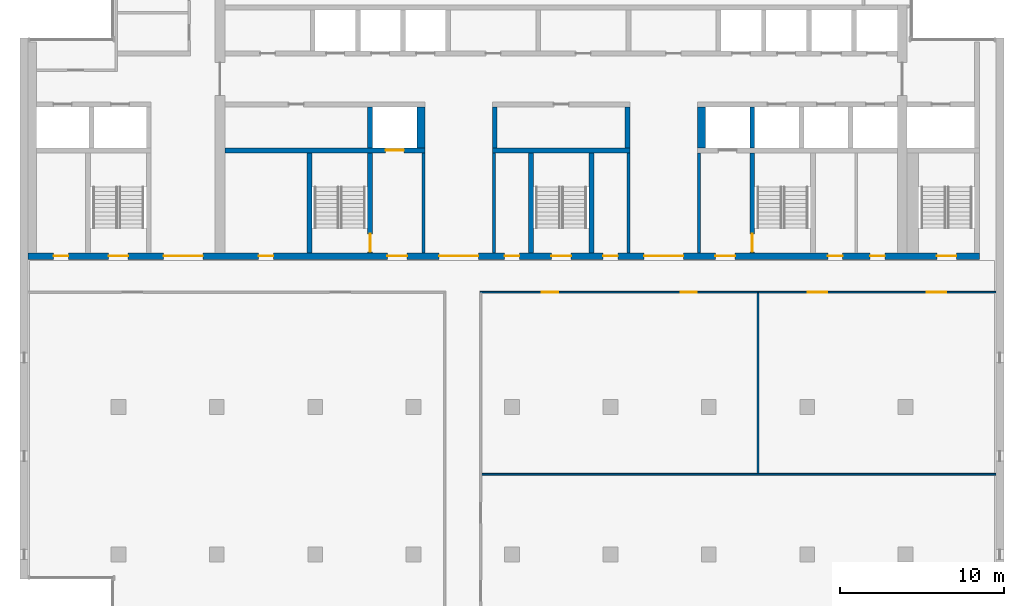
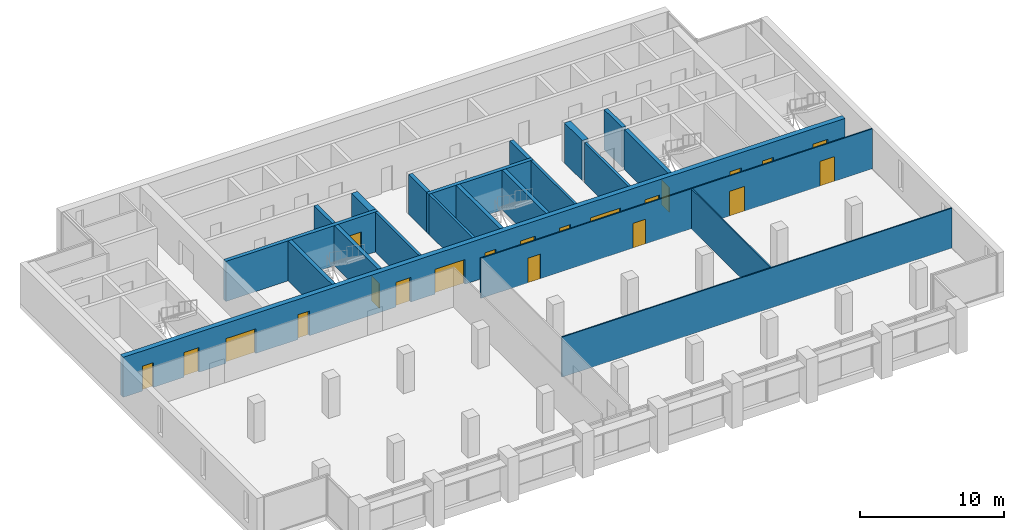
# One storey, part 8 of 14: 21 doors, 21 walls, 21 openings.
"""IFC4 building model written with IfcOpenShell, lengths in metres."""

from ifc_helpers import new_model, si_unit, direction, frame, frame_2d, origin, place, context, subcontext, project, spatial, rectangle, extrude, material, layer, layer_set, type_object, element, fill, save


model = new_model("IFC4")

# Units and contexts
model_context = context("Model", 3, precision=1e-05, world=origin(), true_north=direction((0.0, 1.0)))
body_context = subcontext(model_context, "Body", "Model", "MODEL_VIEW")
ifc_project = project(units=[si_unit("LENGTHUNIT", "METRE"), si_unit("AREAUNIT", "SQUARE_METRE"), si_unit("VOLUMEUNIT", "CUBIC_METRE"), si_unit("PLANEANGLEUNIT", "RADIAN"), si_unit("MASSUNIT", "GRAM", prefix="KILO")], contexts=[model_context])

# Site, building, storey
site_placement = place(None, origin())
site = spatial("IfcSite", under=ifc_project, at=site_placement, CompositionType="ELEMENT")
building_placement = place(site_placement, origin())
building = spatial("IfcBuilding", under=site, at=building_placement, Name="Calvaro Tower", CompositionType="ELEMENT")
storey_placement = place(building_placement, frame((0.0, 0.0, 243.14990234375)))
storey = spatial("IfcBuildingStorey", under=building, at=storey_placement, Name="L61", CompositionType="ELEMENT", Elevation=243.14990234375)

# Walls
ifc_material_1 = material(Name="Blockwork partition", Category="masonry")
ifc_layer_1 = layer(ifc_material_1, 0.199951171875)
ifc_layer_set_1 = layer_set([ifc_layer_1], Name="Blockwork partition")
wall_type_1 = type_object("IfcWallType", Name="Core partition 200 REI 120", PredefinedType="PARTITIONING", material=ifc_layer_set_1)
for number, where, z_axis, x_axis, name in (
    (1, (30.60009765625, 28.39990234375, 0.0), (0.0, 0.0, 1.0), (0.0, 1.0, 0.0), "Core partition"),
    (2, (34.89990234375, 28.39990234375, 0.0), (0.0, 0.0, 1.0), (0.0, 1.0, 0.0), "Core partition"),
    (3, (43.10009765625, 28.39990234375, 0.0), (0.0, 0.0, 1.0), (0.0, 1.0, 0.0), "Core partition"),
    (4, (47.39990234375, 28.39990234375, 0.0), (0.0, 0.0, 1.0), (0.0, 1.0, 0.0), "Core partition"),
):
    element("IfcWall", number, at=place(storey_placement, frame(where, z_axis=z_axis, x_axis=x_axis)), inside=storey, type_object=wall_type_1, Name=name, PredefinedType="PARTITIONING", context=body_context, shape_type="SweptSolid", body=[
        extrude(rectangle(XDim=6.10009765625, YDim=0.199951171875, at=frame_2d((3.050048828125, 0.0))), origin(), (0.0, 0.0, 1.0), 3.400146484375),
    ])
ifc_material_2 = material(Name="Concrete C40/50", Category="concrete")
ifc_layer_2 = layer(ifc_material_2, 0.300048828125)
ifc_layer_set_2 = layer_set([ifc_layer_2], Name="Concrete C40/50")
wall_type_2 = type_object("IfcWallType", Name="Core wall C40/50 300", PredefinedType="SHEAR", material=ifc_layer_set_2)
wall_1_placement = place(storey_placement, frame((23.64990234375, 28.39990234375, 0.0), z_axis=(0.0, 0.0, 1.0), x_axis=(0.0, 1.0, 0.0)))
element("IfcWall", 5, at=wall_1_placement, inside=storey, type_object=wall_type_2, Name="Core wall, stair enclosure", PredefinedType="SHEAR", context=body_context, shape_type="SweptSolid", body=[
    extrude(rectangle(XDim=6.10009765625, YDim=0.300048828125, at=frame_2d((3.050048828125, 0.0))), origin(), (0.0, 0.0, 1.0), 3.400146484375),
])

# Wall, opening, door
wall_2_placement = place(storey_placement, frame((27.35009765625, 28.39990234375, 0.0), z_axis=(0.0, 0.0, 1.0), x_axis=(0.0, 1.0, 0.0)))
wall_2 = element("IfcWall", 6, at=wall_2_placement, inside=storey, type_object=wall_type_2, Name="Core wall, stair enclosure", PredefinedType="SHEAR", context=body_context, shape_type="SweptSolid", body=[
    extrude(rectangle(XDim=6.10009765625, YDim=0.300048828125, at=frame_2d((3.050048828125, 0.0))), origin(), (0.0, 0.0, 1.0), 3.400146484375),
])
opening_1_placement = place(wall_2_placement, frame((0.050048828125, 0.0, 0.0)))
opening_1 = element("IfcOpeningElement", 7, at=opening_1_placement, cuts=wall_2, Name="Opening FD11D", PredefinedType="OPENING", context=body_context, shape_type="SweptSolid", body=[
    extrude(rectangle(XDim=1.10009765625, YDim=2.10009765625, at=frame_2d((0.550048828125, 1.050048828125))), frame((0.0, 0.159912109375, 0.0), z_axis=(0.0, -1.0, 0.0), x_axis=(1.0, 0.0, 0.0)), (0.0, 0.0, 1.0), 0.320068359375),
])
ifc_material_3 = material(Name="Steel door set", Category="steel")
door_type_1 = type_object("IfcDoorType", Name="Fire door 1100 FD30S", OperationType="SINGLE_SWING_LEFT", PredefinedType="DOOR", material=ifc_material_3)
door_1_placement = place(opening_1_placement, origin())
door_1 = element("IfcDoor", 8, at=door_1_placement, inside=storey, type_object=door_type_1, Name="Fire door", OperationType="SINGLE_SWING_LEFT", OverallHeight=2.10009765625, OverallWidth=1.10009765625, PredefinedType="DOOR", context=body_context, shape_type="SweptSolid", body=[
    extrude(rectangle(XDim=1.10009765625, YDim=2.10009765625, at=frame_2d((0.550048828125, 1.050048828125))), frame((0.0, 0.02490234375, 0.0), z_axis=(0.0, -1.0, 0.0), x_axis=(1.0, 0.0, 0.0)), (0.0, 0.0, 1.0), 0.050048828125),
])
fill(opening_1, door_1)

# Walls
for number, where, z_axis, x_axis, name in (
    (9, (37.14990234375, 28.39990234375, 0.0), (0.0, 0.0, 1.0), (0.0, 1.0, 0.0), "Core wall, stair enclosure"),
    (10, (40.85009765625, 28.39990234375, 0.0), (0.0, 0.0, 1.0), (0.0, 1.0, 0.0), "Core wall, stair enclosure"),
):
    element("IfcWall", number, at=place(storey_placement, frame(where, z_axis=z_axis, x_axis=x_axis)), inside=storey, type_object=wall_type_2, Name=name, PredefinedType="SHEAR", context=body_context, shape_type="SweptSolid", body=[
        extrude(rectangle(XDim=6.10009765625, YDim=0.300048828125, at=frame_2d((3.050048828125, 0.0))), origin(), (0.0, 0.0, 1.0), 3.400146484375),
    ])

# Wall, opening, door
wall_3_placement = place(storey_placement, frame((50.64990234375, 34.5, 0.0), z_axis=(0.0, 0.0, 1.0), x_axis=(0.0, -1.0, 0.0)))
wall_3 = element("IfcWall", 11, at=wall_3_placement, inside=storey, type_object=wall_type_2, Name="Core wall, stair enclosure", PredefinedType="SHEAR", context=body_context, shape_type="SweptSolid", body=[
    extrude(rectangle(XDim=6.10009765625, YDim=0.300048828125, at=frame_2d((3.050048828125, 0.0))), origin(), (0.0, 0.0, 1.0), 3.400146484375),
])
opening_2_placement = place(wall_3_placement, frame((4.949951171875, 0.0, 0.0)))
opening_2 = element("IfcOpeningElement", 12, at=opening_2_placement, cuts=wall_3, Name="Opening FD11D", PredefinedType="OPENING", context=body_context, shape_type="SweptSolid", body=[
    extrude(rectangle(XDim=1.10009765625, YDim=2.10009765625, at=frame_2d((0.550048828125, 1.050048828125))), frame((0.0, 0.159912109375, 0.0), z_axis=(0.0, -1.0, 0.0), x_axis=(1.0, 0.0, 0.0)), (0.0, 0.0, 1.0), 0.320068359375),
])
door_2_placement = place(opening_2_placement, origin())
door_2 = element("IfcDoor", 13, at=door_2_placement, inside=storey, type_object=door_type_1, Name="Fire door", OperationType="SINGLE_SWING_RIGHT", OverallHeight=2.10009765625, OverallWidth=1.10009765625, PredefinedType="DOOR", context=body_context, shape_type="SweptSolid", body=[
    extrude(rectangle(XDim=1.10009765625, YDim=2.10009765625, at=frame_2d((0.550048828125, 1.050048828125))), frame((0.0, 0.02490234375, 0.0), z_axis=(0.0, -1.0, 0.0), x_axis=(1.0, 0.0, 0.0)), (0.0, 0.0, 1.0), 0.050048828125),
])
fill(opening_2, door_2)

wall_4_placement = place(storey_placement, frame((18.5, 34.64990234375, 0.0), z_axis=(0.0, 0.0, 1.0), x_axis=(1.0, 0.0, 0.0)))
wall_4 = element("IfcWall", 14, at=wall_4_placement, inside=storey, type_object=wall_type_2, Name="Core wall, lift shaft", PredefinedType="SHEAR", context=body_context, shape_type="SweptSolid", body=[
    extrude(rectangle(XDim=12.199951171875, YDim=0.300048828125, at=frame_2d((6.10009765625, 0.0))), origin(), (0.0, 0.0, 1.0), 3.400146484375),
])
opening_3_placement = place(wall_4_placement, frame((9.800048828125, 0.0, 0.0)))
opening_3 = element("IfcOpeningElement", 15, at=opening_3_placement, cuts=wall_4, Name="Opening FF1", PredefinedType="OPENING", context=body_context, shape_type="SweptSolid", body=[
    extrude(rectangle(XDim=1.10009765625, YDim=2.10009765625, at=frame_2d((0.550048828125, 1.050048828125))), frame((0.0, 0.159912109375, 0.0), z_axis=(0.0, -1.0, 0.0), x_axis=(1.0, 0.0, 0.0)), (0.0, 0.0, 1.0), 0.320068359375),
])
ifc_material_4 = material(Name="Stainless steel", Category="steel")
door_type_2 = type_object("IfcDoorType", Name="Landing door 1100 E 60", OperationType="SLIDING_TO_LEFT", PredefinedType="DOOR", material=ifc_material_4)
door_3_placement = place(opening_3_placement, origin())
door_3 = element("IfcDoor", 16, at=door_3_placement, inside=storey, type_object=door_type_2, Name="Landing door FF1", OperationType="SLIDING_TO_LEFT", OverallHeight=2.10009765625, OverallWidth=1.10009765625, PredefinedType="DOOR", context=body_context, shape_type="SweptSolid", body=[
    extrude(rectangle(XDim=1.10009765625, YDim=2.10009765625, at=frame_2d((0.550048828125, 1.050048828125))), frame((0.0, 0.02490234375, 0.0), z_axis=(0.0, -1.0, 0.0), x_axis=(1.0, 0.0, 0.0)), (0.0, 0.0, 1.0), 0.050048828125),
])
fill(opening_3, door_3)

# Walls
wall_5_placement = place(storey_placement, frame((34.800048828125, 34.64990234375, 0.0), z_axis=(0.0, 0.0, 1.0), x_axis=(1.0, 0.0, 0.0)))
element("IfcWall", 17, at=wall_5_placement, inside=storey, type_object=wall_type_2, Name="Core wall, lift shaft", PredefinedType="SHEAR", context=body_context, shape_type="SweptSolid", body=[
    extrude(rectangle(XDim=8.39990234375, YDim=0.300048828125, at=frame_2d((4.199951171875, 0.0))), origin(), (0.0, 0.0, 1.0), 3.400146484375),
])
for number, where, z_axis, x_axis, name in (
    (18, (27.35009765625, 34.800048828125, 0.0), (0.0, 0.0, 1.0), (0.0, 1.0, 0.0), "Core wall, lift shaft"),
    (19, (34.949951171875, 34.800048828125, 0.0), (0.0, 0.0, 1.0), (0.0, 1.0, 0.0), "Core wall, lift shaft"),
    (20, (43.050048828125, 34.800048828125, 0.0), (0.0, 0.0, 1.0), (0.0, 1.0, 0.0), "Core wall, lift shaft"),
    (21, (50.64990234375, 34.800048828125, 0.0), (0.0, 0.0, 1.0), (0.0, 1.0, 0.0), "Core wall, lift shaft"),
):
    element("IfcWall", number, at=place(storey_placement, frame(where, z_axis=z_axis, x_axis=x_axis)), inside=storey, type_object=wall_type_2, Name=name, PredefinedType="SHEAR", context=body_context, shape_type="SweptSolid", body=[
        extrude(rectangle(XDim=2.5, YDim=0.300048828125, at=frame_2d((1.25, 0.0))), origin(), (0.0, 0.0, 1.0), 3.400146484375),
    ])

# Wall, openings, doors
ifc_material_5 = material(Name="Concrete C40/50", Category="concrete")
ifc_layer_3 = layer(ifc_material_5, 0.39990234375)
ifc_layer_set_3 = layer_set([ifc_layer_3], Name="Concrete C40/50")
wall_type_3 = type_object("IfcWallType", Name="Core wall C40/50 400", PredefinedType="SHEAR", material=ifc_layer_set_3)
wall_6_placement = place(storey_placement, frame((6.5, 28.199951171875, 0.0), z_axis=(0.0, 0.0, 1.0), x_axis=(1.0, 0.0, 0.0)))
wall_6 = element("IfcWall", 22, at=wall_6_placement, inside=storey, type_object=wall_type_3, Name="Core wall, front", PredefinedType="SHEAR", context=body_context, shape_type="SweptSolid", body=[
    extrude(rectangle(XDim=58.0, YDim=0.39990234375, at=frame_2d((29.0, 0.0))), origin(), (0.0, 0.0, 1.0), 3.400146484375),
])
opening_4_placement = place(wall_6_placement, frame((14.050048828125, 0.0, 0.0)))
opening_4 = element("IfcOpeningElement", 23, at=opening_4_placement, cuts=wall_6, Name="Opening RD9E", PredefinedType="OPENING", context=body_context, shape_type="SweptSolid", body=[
    extrude(rectangle(XDim=0.89990234375, YDim=2.10009765625, at=frame_2d((0.449951171875, 1.050048828125))), frame((0.0, 0.2099609375, 0.0), z_axis=(0.0, -1.0, 0.0), x_axis=(1.0, 0.0, 0.0)), (0.0, 0.0, 1.0), 0.419921875),
])
opening_5_placement = place(wall_6_placement, frame((48.762451171875, 0.0, 0.0)))
opening_5 = element("IfcOpeningElement", 24, at=opening_5_placement, cuts=wall_6, Name="Opening RD9C", PredefinedType="OPENING", context=body_context, shape_type="SweptSolid", body=[
    extrude(rectangle(XDim=0.89990234375, YDim=2.10009765625, at=frame_2d((0.449951171875, 1.050048828125))), frame((0.0, 0.2099609375, 0.0), z_axis=(0.0, -1.0, 0.0), x_axis=(1.0, 0.0, 0.0)), (0.0, 0.0, 1.0), 0.419921875),
])
opening_6_placement = place(wall_6_placement, frame((51.33740234375, 0.0, 0.0)))
opening_6 = element("IfcOpeningElement", 25, at=opening_6_placement, cuts=wall_6, Name="Opening RD9C", PredefinedType="OPENING", context=body_context, shape_type="SweptSolid", body=[
    extrude(rectangle(XDim=0.89990234375, YDim=2.10009765625, at=frame_2d((0.449951171875, 1.050048828125))), frame((0.0, 0.2099609375, 0.0), z_axis=(0.0, -1.0, 0.0), x_axis=(1.0, 0.0, 0.0)), (0.0, 0.0, 1.0), 0.419921875),
])
opening_7_placement = place(wall_6_placement, frame((1.550048828125, 0.0, 0.0)))
opening_7 = element("IfcOpeningElement", 26, at=opening_7_placement, cuts=wall_6, Name="Opening RD9C", PredefinedType="OPENING", context=body_context, shape_type="SweptSolid", body=[
    extrude(rectangle(XDim=0.89990234375, YDim=2.10009765625, at=frame_2d((0.449951171875, 1.050048828125))), frame((0.0, 0.2099609375, 0.0), z_axis=(0.0, -1.0, 0.0), x_axis=(1.0, 0.0, 0.0)), (0.0, 0.0, 1.0), 0.419921875),
])
opening_8_placement = place(wall_6_placement, frame((4.89990234375, 0.0, 0.0)))
opening_8 = element("IfcOpeningElement", 27, at=opening_8_placement, cuts=wall_6, Name="Opening SD12D", PredefinedType="OPENING", context=body_context, shape_type="SweptSolid", body=[
    extrude(rectangle(XDim=1.199951171875, YDim=2.10009765625, at=frame_2d((0.60009765625, 1.050048828125))), frame((0.0, 0.2099609375, 0.0), z_axis=(0.0, -1.0, 0.0), x_axis=(1.0, 0.0, 0.0)), (0.0, 0.0, 1.0), 0.419921875),
])
opening_9_placement = place(wall_6_placement, frame((31.89990234375, 0.0, 0.0)))
opening_9 = element("IfcOpeningElement", 28, at=opening_9_placement, cuts=wall_6, Name="Opening SD12D", PredefinedType="OPENING", context=body_context, shape_type="SweptSolid", body=[
    extrude(rectangle(XDim=1.199951171875, YDim=2.10009765625, at=frame_2d((0.60009765625, 1.050048828125))), frame((0.0, 0.2099609375, 0.0), z_axis=(0.0, -1.0, 0.0), x_axis=(1.0, 0.0, 0.0)), (0.0, 0.0, 1.0), 0.419921875),
])
opening_10_placement = place(wall_6_placement, frame((55.39990234375, 0.0, 0.0)))
opening_10 = element("IfcOpeningElement", 29, at=opening_10_placement, cuts=wall_6, Name="Opening SD12D", PredefinedType="OPENING", context=body_context, shape_type="SweptSolid", body=[
    extrude(rectangle(XDim=1.199951171875, YDim=2.10009765625, at=frame_2d((0.60009765625, 1.050048828125))), frame((0.0, 0.2099609375, 0.0), z_axis=(0.0, -1.0, 0.0), x_axis=(1.0, 0.0, 0.0)), (0.0, 0.0, 1.0), 0.419921875),
])
opening_11_placement = place(wall_6_placement, frame((21.89990234375, 0.0, 0.0)))
opening_11 = element("IfcOpeningElement", 30, at=opening_11_placement, cuts=wall_6, Name="Opening FD12F", PredefinedType="OPENING", context=body_context, shape_type="SweptSolid", body=[
    extrude(rectangle(XDim=1.199951171875, YDim=2.10009765625, at=frame_2d((0.60009765625, 1.050048828125))), frame((0.0, 0.2099609375, 0.0), z_axis=(0.0, -1.0, 0.0), x_axis=(1.0, 0.0, 0.0)), (0.0, 0.0, 1.0), 0.419921875),
])
opening_12_placement = place(wall_6_placement, frame((41.89990234375, 0.0, 0.0)))
opening_12 = element("IfcOpeningElement", 31, at=opening_12_placement, cuts=wall_6, Name="Opening FD12F", PredefinedType="OPENING", context=body_context, shape_type="SweptSolid", body=[
    extrude(rectangle(XDim=1.199951171875, YDim=2.10009765625, at=frame_2d((0.60009765625, 1.050048828125))), frame((0.0, 0.2099609375, 0.0), z_axis=(0.0, -1.0, 0.0), x_axis=(1.0, 0.0, 0.0)), (0.0, 0.0, 1.0), 0.419921875),
])
opening_13_placement = place(wall_6_placement, frame((25.050048828125, 0.0, 0.0)))
opening_13 = element("IfcOpeningElement", 32, at=opening_13_placement, cuts=wall_6, Name="Opening DD24D", PredefinedType="OPENING", context=body_context, shape_type="SweptSolid", body=[
    extrude(rectangle(XDim=2.39990234375, YDim=2.10009765625, at=frame_2d((1.199951171875, 1.050048828125))), frame((0.0, 0.2099609375, 0.0), z_axis=(0.0, -1.0, 0.0), x_axis=(1.0, 0.0, 0.0)), (0.0, 0.0, 1.0), 0.419921875),
])
opening_14_placement = place(wall_6_placement, frame((37.550048828125, 0.0, 0.0)))
opening_14 = element("IfcOpeningElement", 33, at=opening_14_placement, cuts=wall_6, Name="Opening DD24D", PredefinedType="OPENING", context=body_context, shape_type="SweptSolid", body=[
    extrude(rectangle(XDim=2.39990234375, YDim=2.10009765625, at=frame_2d((1.199951171875, 1.050048828125))), frame((0.0, 0.2099609375, 0.0), z_axis=(0.0, -1.0, 0.0), x_axis=(1.0, 0.0, 0.0)), (0.0, 0.0, 1.0), 0.419921875),
])
opening_15_placement = place(wall_6_placement, frame((8.25, 0.0, 0.0)))
opening_15 = element("IfcOpeningElement", 34, at=opening_15_placement, cuts=wall_6, Name="Opening DD24D", PredefinedType="OPENING", context=body_context, shape_type="SweptSolid", body=[
    extrude(rectangle(XDim=2.39990234375, YDim=2.10009765625, at=frame_2d((1.199951171875, 1.050048828125))), frame((0.0, 0.2099609375, 0.0), z_axis=(0.0, -1.0, 0.0), x_axis=(1.0, 0.0, 0.0)), (0.0, 0.0, 1.0), 0.419921875),
])
opening_16_placement = place(wall_6_placement, frame((29.050048828125, 0.0, 0.0)))
opening_16 = element("IfcOpeningElement", 35, at=opening_16_placement, cuts=wall_6, Name="Opening RD9E", PredefinedType="OPENING", context=body_context, shape_type="SweptSolid", body=[
    extrude(rectangle(XDim=0.89990234375, YDim=2.10009765625, at=frame_2d((0.449951171875, 1.050048828125))), frame((0.0, 0.2099609375, 0.0), z_axis=(0.0, -1.0, 0.0), x_axis=(1.0, 0.0, 0.0)), (0.0, 0.0, 1.0), 0.419921875),
])
opening_17_placement = place(wall_6_placement, frame((35.050048828125, 0.0, 0.0)))
opening_17 = element("IfcOpeningElement", 36, at=opening_17_placement, cuts=wall_6, Name="Opening RD9E", PredefinedType="OPENING", context=body_context, shape_type="SweptSolid", body=[
    extrude(rectangle(XDim=0.89990234375, YDim=2.10009765625, at=frame_2d((0.449951171875, 1.050048828125))), frame((0.0, 0.2099609375, 0.0), z_axis=(0.0, -1.0, 0.0), x_axis=(1.0, 0.0, 0.0)), (0.0, 0.0, 1.0), 0.419921875),
])
ifc_material_6 = material(Name="Steel door set", Category="steel")
door_type_3 = type_object("IfcDoorType", Name="Fire door 1200 FD60S", OperationType="SINGLE_SWING_LEFT", PredefinedType="DOOR", material=ifc_material_6)
door_4_placement = place(opening_11_placement, origin())
door_4 = element("IfcDoor", 37, at=door_4_placement, inside=storey, type_object=door_type_3, Name="Fire door", OperationType="SINGLE_SWING_LEFT", OverallHeight=2.10009765625, OverallWidth=1.199951171875, PredefinedType="DOOR", context=body_context, shape_type="SweptSolid", body=[
    extrude(rectangle(XDim=1.199951171875, YDim=2.10009765625, at=frame_2d((0.60009765625, 1.050048828125))), frame((0.0, 0.02490234375, 0.0), z_axis=(0.0, -1.0, 0.0), x_axis=(1.0, 0.0, 0.0)), (0.0, 0.0, 1.0), 0.050048828125),
])
fill(opening_11, door_4)
door_5_placement = place(opening_12_placement, origin())
door_5 = element("IfcDoor", 38, at=door_5_placement, inside=storey, type_object=door_type_3, Name="Fire door", OperationType="SINGLE_SWING_LEFT", OverallHeight=2.10009765625, OverallWidth=1.199951171875, PredefinedType="DOOR", context=body_context, shape_type="SweptSolid", body=[
    extrude(rectangle(XDim=1.199951171875, YDim=2.10009765625, at=frame_2d((0.60009765625, 1.050048828125))), frame((0.0, 0.02490234375, 0.0), z_axis=(0.0, -1.0, 0.0), x_axis=(1.0, 0.0, 0.0)), (0.0, 0.0, 1.0), 0.050048828125),
])
fill(opening_12, door_5)
ifc_material_7 = material(Name="Steel door set", Category="steel")
door_type_4 = type_object("IfcDoorType", Name="Lobby double door 2400 FD30S", OperationType="DOUBLE_DOOR_SINGLE_SWING", PredefinedType="DOOR", material=ifc_material_7)
door_6_placement = place(opening_13_placement, origin())
door_6 = element("IfcDoor", 39, at=door_6_placement, inside=storey, type_object=door_type_4, Name="Lobby double door", OperationType="DOUBLE_DOOR_SINGLE_SWING", OverallHeight=2.10009765625, OverallWidth=2.39990234375, PredefinedType="DOOR", context=body_context, shape_type="SweptSolid", body=[
    extrude(rectangle(XDim=2.39990234375, YDim=2.10009765625, at=frame_2d((1.199951171875, 1.050048828125))), frame((0.0, 0.02490234375, 0.0), z_axis=(0.0, -1.0, 0.0), x_axis=(1.0, 0.0, 0.0)), (0.0, 0.0, 1.0), 0.050048828125),
])
fill(opening_13, door_6)
door_7_placement = place(opening_14_placement, origin())
door_7 = element("IfcDoor", 40, at=door_7_placement, inside=storey, type_object=door_type_4, Name="Lobby double door", OperationType="DOUBLE_DOOR_SINGLE_SWING", OverallHeight=2.10009765625, OverallWidth=2.39990234375, PredefinedType="DOOR", context=body_context, shape_type="SweptSolid", body=[
    extrude(rectangle(XDim=2.39990234375, YDim=2.10009765625, at=frame_2d((1.199951171875, 1.050048828125))), frame((0.0, 0.02490234375, 0.0), z_axis=(0.0, -1.0, 0.0), x_axis=(1.0, 0.0, 0.0)), (0.0, 0.0, 1.0), 0.050048828125),
])
fill(opening_14, door_7)
door_8_placement = place(opening_15_placement, origin())
door_8 = element("IfcDoor", 41, at=door_8_placement, inside=storey, type_object=door_type_4, Name="Lobby double door", OperationType="DOUBLE_DOOR_SINGLE_SWING", OverallHeight=2.10009765625, OverallWidth=2.39990234375, PredefinedType="DOOR", context=body_context, shape_type="SweptSolid", body=[
    extrude(rectangle(XDim=2.39990234375, YDim=2.10009765625, at=frame_2d((1.199951171875, 1.050048828125))), frame((0.0, 0.02490234375, 0.0), z_axis=(0.0, -1.0, 0.0), x_axis=(1.0, 0.0, 0.0)), (0.0, 0.0, 1.0), 0.050048828125),
])
fill(opening_15, door_8)
ifc_material_8 = material(Name="Steel door set", Category="steel")
door_type_5 = type_object("IfcDoorType", Name="Room door 900 FD30", OperationType="SINGLE_SWING_LEFT", PredefinedType="DOOR", material=ifc_material_8)
door_9_placement = place(opening_5_placement, origin())
door_9 = element("IfcDoor", 42, at=door_9_placement, inside=storey, type_object=door_type_5, Name="Room door", OperationType="SINGLE_SWING_LEFT", OverallHeight=2.10009765625, OverallWidth=0.89990234375, PredefinedType="DOOR", context=body_context, shape_type="SweptSolid", body=[
    extrude(rectangle(XDim=0.89990234375, YDim=2.10009765625, at=frame_2d((0.449951171875, 1.050048828125))), frame((0.0, 0.02490234375, 0.0), z_axis=(0.0, -1.0, 0.0), x_axis=(1.0, 0.0, 0.0)), (0.0, 0.0, 1.0), 0.050048828125),
])
fill(opening_5, door_9)
door_10_placement = place(opening_6_placement, origin())
door_10 = element("IfcDoor", 43, at=door_10_placement, inside=storey, type_object=door_type_5, Name="Room door", OperationType="SINGLE_SWING_LEFT", OverallHeight=2.10009765625, OverallWidth=0.89990234375, PredefinedType="DOOR", context=body_context, shape_type="SweptSolid", body=[
    extrude(rectangle(XDim=0.89990234375, YDim=2.10009765625, at=frame_2d((0.449951171875, 1.050048828125))), frame((0.0, 0.02490234375, 0.0), z_axis=(0.0, -1.0, 0.0), x_axis=(1.0, 0.0, 0.0)), (0.0, 0.0, 1.0), 0.050048828125),
])
fill(opening_6, door_10)
door_11_placement = place(opening_7_placement, origin())
door_11 = element("IfcDoor", 44, at=door_11_placement, inside=storey, type_object=door_type_5, Name="Room door", OperationType="SINGLE_SWING_LEFT", OverallHeight=2.10009765625, OverallWidth=0.89990234375, PredefinedType="DOOR", context=body_context, shape_type="SweptSolid", body=[
    extrude(rectangle(XDim=0.89990234375, YDim=2.10009765625, at=frame_2d((0.449951171875, 1.050048828125))), frame((0.0, 0.02490234375, 0.0), z_axis=(0.0, -1.0, 0.0), x_axis=(1.0, 0.0, 0.0)), (0.0, 0.0, 1.0), 0.050048828125),
])
fill(opening_7, door_11)
ifc_material_9 = material(Name="Steel door set", Category="steel")
door_type_6 = type_object("IfcDoorType", Name="Room door 900 FD60", OperationType="SINGLE_SWING_LEFT", PredefinedType="DOOR", material=ifc_material_9)
door_12_placement = place(opening_4_placement, origin())
door_12 = element("IfcDoor", 45, at=door_12_placement, inside=storey, type_object=door_type_6, Name="Room door", OperationType="SINGLE_SWING_LEFT", OverallHeight=2.10009765625, OverallWidth=0.89990234375, PredefinedType="DOOR", context=body_context, shape_type="SweptSolid", body=[
    extrude(rectangle(XDim=0.89990234375, YDim=2.10009765625, at=frame_2d((0.449951171875, 1.050048828125))), frame((0.0, 0.02490234375, 0.0), z_axis=(0.0, -1.0, 0.0), x_axis=(1.0, 0.0, 0.0)), (0.0, 0.0, 1.0), 0.050048828125),
])
fill(opening_4, door_12)
door_13_placement = place(opening_16_placement, origin())
door_13 = element("IfcDoor", 46, at=door_13_placement, inside=storey, type_object=door_type_6, Name="Room door", OperationType="SINGLE_SWING_LEFT", OverallHeight=2.10009765625, OverallWidth=0.89990234375, PredefinedType="DOOR", context=body_context, shape_type="SweptSolid", body=[
    extrude(rectangle(XDim=0.89990234375, YDim=2.10009765625, at=frame_2d((0.449951171875, 1.050048828125))), frame((0.0, 0.02490234375, 0.0), z_axis=(0.0, -1.0, 0.0), x_axis=(1.0, 0.0, 0.0)), (0.0, 0.0, 1.0), 0.050048828125),
])
fill(opening_16, door_13)
door_14_placement = place(opening_17_placement, origin())
door_14 = element("IfcDoor", 47, at=door_14_placement, inside=storey, type_object=door_type_6, Name="Room door", OperationType="SINGLE_SWING_LEFT", OverallHeight=2.10009765625, OverallWidth=0.89990234375, PredefinedType="DOOR", context=body_context, shape_type="SweptSolid", body=[
    extrude(rectangle(XDim=0.89990234375, YDim=2.10009765625, at=frame_2d((0.449951171875, 1.050048828125))), frame((0.0, 0.02490234375, 0.0), z_axis=(0.0, -1.0, 0.0), x_axis=(1.0, 0.0, 0.0)), (0.0, 0.0, 1.0), 0.050048828125),
])
fill(opening_17, door_14)
ifc_material_10 = material(Name="Steel door set", Category="steel")
door_type_7 = type_object("IfcDoorType", Name="Stair door 1200 FD30S", OperationType="SINGLE_SWING_LEFT", PredefinedType="DOOR", material=ifc_material_10)
door_15_placement = place(opening_8_placement, origin())
door_15 = element("IfcDoor", 48, at=door_15_placement, inside=storey, type_object=door_type_7, Name="Stair door", OperationType="SINGLE_SWING_LEFT", OverallHeight=2.10009765625, OverallWidth=1.199951171875, PredefinedType="DOOR", context=body_context, shape_type="SweptSolid", body=[
    extrude(rectangle(XDim=1.199951171875, YDim=2.10009765625, at=frame_2d((0.60009765625, 1.050048828125))), frame((0.0, 0.02490234375, 0.0), z_axis=(0.0, -1.0, 0.0), x_axis=(1.0, 0.0, 0.0)), (0.0, 0.0, 1.0), 0.050048828125),
])
fill(opening_8, door_15)
door_16_placement = place(opening_9_placement, origin())
door_16 = element("IfcDoor", 49, at=door_16_placement, inside=storey, type_object=door_type_7, Name="Stair door", OperationType="SINGLE_SWING_LEFT", OverallHeight=2.10009765625, OverallWidth=1.199951171875, PredefinedType="DOOR", context=body_context, shape_type="SweptSolid", body=[
    extrude(rectangle(XDim=1.199951171875, YDim=2.10009765625, at=frame_2d((0.60009765625, 1.050048828125))), frame((0.0, 0.02490234375, 0.0), z_axis=(0.0, -1.0, 0.0), x_axis=(1.0, 0.0, 0.0)), (0.0, 0.0, 1.0), 0.050048828125),
])
fill(opening_9, door_16)
door_17_placement = place(opening_10_placement, origin())
door_17 = element("IfcDoor", 50, at=door_17_placement, inside=storey, type_object=door_type_7, Name="Stair door", OperationType="SINGLE_SWING_LEFT", OverallHeight=2.10009765625, OverallWidth=1.199951171875, PredefinedType="DOOR", context=body_context, shape_type="SweptSolid", body=[
    extrude(rectangle(XDim=1.199951171875, YDim=2.10009765625, at=frame_2d((0.60009765625, 1.050048828125))), frame((0.0, 0.02490234375, 0.0), z_axis=(0.0, -1.0, 0.0), x_axis=(1.0, 0.0, 0.0)), (0.0, 0.0, 1.0), 0.050048828125),
])
fill(opening_10, door_17)

# Walls
ifc_material_11 = material(Name="Concrete C40/50", Category="concrete")
ifc_layer_4 = layer(ifc_material_11, 0.5)
ifc_layer_set_4 = layer_set([ifc_layer_4], Name="Concrete C40/50")
wall_type_4 = type_object("IfcWallType", Name="Core wall C40/50 500", PredefinedType="SHEAR", material=ifc_layer_set_4)
for number, where, z_axis, x_axis, name in (
    (51, (30.449951171875, 34.800048828125, 0.0), (0.0, 0.0, 1.0), (0.0, 1.0, 0.0), "Core wall, lift shaft"),
    (52, (47.550048828125, 34.800048828125, 0.0), (0.0, 0.0, 1.0), (0.0, 1.0, 0.0), "Core wall, lift shaft"),
):
    element("IfcWall", number, at=place(storey_placement, frame(where, z_axis=z_axis, x_axis=x_axis)), inside=storey, type_object=wall_type_4, Name=name, PredefinedType="SHEAR", context=body_context, shape_type="SweptSolid", body=[
        extrude(rectangle(XDim=2.5, YDim=0.5, at=frame_2d((1.25, 0.0))), origin(), (0.0, 0.0, 1.0), 3.400146484375),
    ])
ifc_material_12 = material(Name="Plasterboard on steel studs", Category="steel")
ifc_layer_5 = layer(ifc_material_12, 0.10009765625)
ifc_layer_set_5 = layer_set([ifc_layer_5], Name="Plasterboard on steel studs")
wall_type_5 = type_object("IfcWallType", Name="Partition 100 REI 120", PredefinedType="PARTITIONING", material=ifc_layer_set_5)
wall_7_placement = place(storey_placement, frame((34.14990234375, 14.89990234375, 0.0), z_axis=(0.0, 0.0, 1.0), x_axis=(1.0, 0.0, 0.0)))
element("IfcWall", 53, at=wall_7_placement, inside=storey, type_object=wall_type_5, Name="Partition T35.W001", PredefinedType="PARTITIONING", context=body_context, shape_type="SweptSolid", body=[
    extrude(rectangle(XDim=31.35009765625, YDim=0.10009765625, at=frame_2d((15.675048828125, 0.0))), origin(), (0.0, 0.0, 1.0), 3.400146484375),
])

# Wall, openings, doors
wall_8_placement = place(storey_placement, frame((34.050048828125, 26.0, 0.0), z_axis=(0.0, 0.0, 1.0), x_axis=(1.0, 0.0, 0.0)))
wall_8 = element("IfcWall", 54, at=wall_8_placement, inside=storey, type_object=wall_type_5, Name="Partition T35.W003", PredefinedType="PARTITIONING", context=body_context, shape_type="SweptSolid", body=[
    extrude(rectangle(XDim=31.449951171875, YDim=0.10009765625, at=frame_2d((15.72509765625, 0.0))), origin(), (0.0, 0.0, 1.0), 3.400146484375),
])
opening_18_placement = place(wall_8_placement, frame((19.97509765625, 0.0, 0.0)))
opening_18 = element("IfcOpeningElement", 55, at=opening_18_placement, cuts=wall_8, Name="Opening T35.005", PredefinedType="OPENING", context=body_context, shape_type="SweptSolid", body=[
    extrude(rectangle(XDim=1.199951171875, YDim=2.10009765625, at=frame_2d((0.60009765625, 1.050048828125))), frame((0.0, 0.06005859375, 0.0), z_axis=(0.0, -1.0, 0.0), x_axis=(1.0, 0.0, 0.0)), (0.0, 0.0, 1.0), 0.1201171875),
])
opening_19_placement = place(wall_8_placement, frame((27.22509765625, 0.0, 0.0)))
opening_19 = element("IfcOpeningElement", 56, at=opening_19_placement, cuts=wall_8, Name="Opening T35.006", PredefinedType="OPENING", context=body_context, shape_type="SweptSolid", body=[
    extrude(rectangle(XDim=1.199951171875, YDim=2.10009765625, at=frame_2d((0.60009765625, 1.050048828125))), frame((0.0, 0.06005859375, 0.0), z_axis=(0.0, -1.0, 0.0), x_axis=(1.0, 0.0, 0.0)), (0.0, 0.0, 1.0), 0.1201171875),
])
opening_20_placement = place(wall_8_placement, frame((3.77490234375, 0.0, 0.0)))
opening_20 = element("IfcOpeningElement", 57, at=opening_20_placement, cuts=wall_8, Name="Opening T35.007", PredefinedType="OPENING", context=body_context, shape_type="SweptSolid", body=[
    extrude(rectangle(XDim=1.0, YDim=2.10009765625, at=frame_2d((0.5, 1.050048828125))), frame((0.0, 0.06005859375, 0.0), z_axis=(0.0, -1.0, 0.0), x_axis=(1.0, 0.0, 0.0)), (0.0, 0.0, 1.0), 0.1201171875),
])
opening_21_placement = place(wall_8_placement, frame((12.22509765625, 0.0, 0.0)))
opening_21 = element("IfcOpeningElement", 58, at=opening_21_placement, cuts=wall_8, Name="Opening T35.008", PredefinedType="OPENING", context=body_context, shape_type="SweptSolid", body=[
    extrude(rectangle(XDim=1.0, YDim=2.10009765625, at=frame_2d((0.5, 1.050048828125))), frame((0.0, 0.06005859375, 0.0), z_axis=(0.0, -1.0, 0.0), x_axis=(1.0, 0.0, 0.0)), (0.0, 0.0, 1.0), 0.1201171875),
])
ifc_material_13 = material(Name="Timber", Category="wood")
door_type_8 = type_object("IfcDoorType", Name="Internal single door 1000 x 2100 FD60", OperationType="SINGLE_SWING_LEFT", PredefinedType="DOOR", material=ifc_material_13)
door_18_placement = place(opening_20_placement, origin())
door_18 = element("IfcDoor", 59, at=door_18_placement, inside=storey, type_object=door_type_8, Name="Door T35.007", OperationType="SINGLE_SWING_LEFT", OverallHeight=2.10009765625, OverallWidth=1.0, PredefinedType="DOOR", context=body_context, shape_type="SweptSolid", body=[
    extrude(rectangle(XDim=1.0, YDim=2.10009765625, at=frame_2d((0.5, 1.050048828125))), frame((0.0, 0.02490234375, 0.0), z_axis=(0.0, -1.0, 0.0), x_axis=(1.0, 0.0, 0.0)), (0.0, 0.0, 1.0), 0.050048828125),
])
fill(opening_20, door_18)
door_19_placement = place(opening_21_placement, origin())
door_19 = element("IfcDoor", 60, at=door_19_placement, inside=storey, type_object=door_type_8, Name="Door T35.008", OperationType="SINGLE_SWING_LEFT", OverallHeight=2.10009765625, OverallWidth=1.0, PredefinedType="DOOR", context=body_context, shape_type="SweptSolid", body=[
    extrude(rectangle(XDim=1.0, YDim=2.10009765625, at=frame_2d((0.5, 1.050048828125))), frame((0.0, 0.02490234375, 0.0), z_axis=(0.0, -1.0, 0.0), x_axis=(1.0, 0.0, 0.0)), (0.0, 0.0, 1.0), 0.050048828125),
])
fill(opening_21, door_19)
ifc_material_14 = material(Name="Timber", Category="wood")
door_type_9 = type_object("IfcDoorType", Name="Internal single door 1200 x 2100", OperationType="SINGLE_SWING_LEFT", PredefinedType="DOOR", material=ifc_material_14)
door_20_placement = place(opening_18_placement, origin())
door_20 = element("IfcDoor", 61, at=door_20_placement, inside=storey, type_object=door_type_9, Name="Door T35.005", OperationType="SINGLE_SWING_RIGHT", OverallHeight=2.10009765625, OverallWidth=1.199951171875, PredefinedType="DOOR", context=body_context, shape_type="SweptSolid", body=[
    extrude(rectangle(XDim=1.199951171875, YDim=2.10009765625, at=frame_2d((0.60009765625, 1.050048828125))), frame((0.0, 0.02490234375, 0.0), z_axis=(0.0, -1.0, 0.0), x_axis=(1.0, 0.0, 0.0)), (0.0, 0.0, 1.0), 0.050048828125),
])
fill(opening_18, door_20)
door_21_placement = place(opening_19_placement, origin())
door_21 = element("IfcDoor", 62, at=door_21_placement, inside=storey, type_object=door_type_9, Name="Door T35.006", OperationType="SINGLE_SWING_RIGHT", OverallHeight=2.10009765625, OverallWidth=1.199951171875, PredefinedType="DOOR", context=body_context, shape_type="SweptSolid", body=[
    extrude(rectangle(XDim=1.199951171875, YDim=2.10009765625, at=frame_2d((0.60009765625, 1.050048828125))), frame((0.0, 0.02490234375, 0.0), z_axis=(0.0, -1.0, 0.0), x_axis=(1.0, 0.0, 0.0)), (0.0, 0.0, 1.0), 0.050048828125),
])
fill(opening_19, door_21)

# Wall
wall_9_placement = place(storey_placement, frame((51.0, 14.949951171875, 0.0), z_axis=(0.0, 0.0, 1.0), x_axis=(0.0, 1.0, 0.0)))
element("IfcWall", 63, at=wall_9_placement, inside=storey, type_object=wall_type_5, Name="Partition T35.W006", PredefinedType="PARTITIONING", context=body_context, shape_type="SweptSolid", body=[
    extrude(rectangle(XDim=11.0, YDim=0.10009765625, at=frame_2d((5.5, 0.0))), origin(), (0.0, 0.0, 1.0), 3.400146484375),
])

save(model, "model.ifc")
